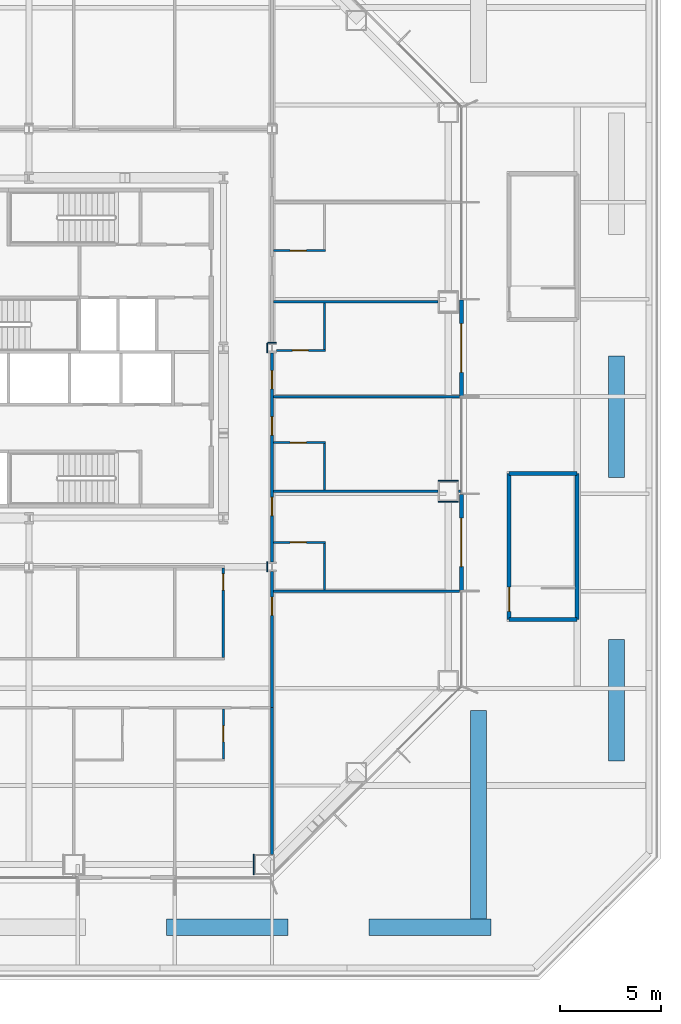
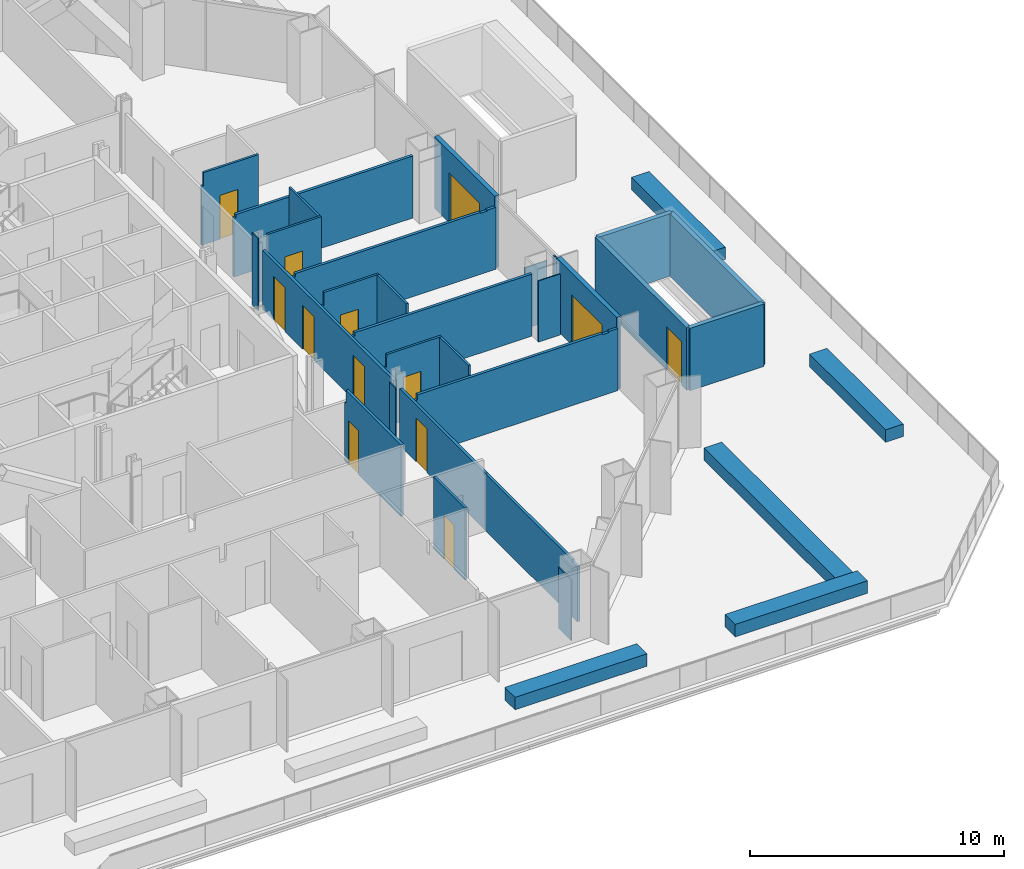
# One storey, part 16 of 18: 34 walls, 13 doors, 13 openings.
"""IFC4 building model written with IfcOpenShell, lengths in metres."""

from ifc_helpers import new_model, si_unit, direction, frame, frame_2d, origin, place, context, subcontext, project, spatial, polyline, rectangle, outline, extrude, material, layer, layer_set, type_object, element, fill, save


model = new_model("IFC4")

# Units and contexts
model_context = context("Model", 3, precision=1e-05, world=origin(), true_north=direction((0.0, 1.0)))
body_context = subcontext(model_context, "Body", "Model", "MODEL_VIEW")
ifc_project = project(units=[si_unit("LENGTHUNIT", "METRE"), si_unit("AREAUNIT", "SQUARE_METRE"), si_unit("VOLUMEUNIT", "CUBIC_METRE"), si_unit("PLANEANGLEUNIT", "RADIAN"), si_unit("MASSUNIT", "GRAM", prefix="KILO")], contexts=[model_context])

# Site, building, storey
site_placement = place(None, origin())
site = spatial("IfcSite", under=ifc_project, at=site_placement, CompositionType="ELEMENT")
building_placement = place(site_placement, origin())
building = spatial("IfcBuilding", under=site, at=building_placement, Name="Cairn Pilgrim Tower", CompositionType="ELEMENT")
storey_placement = place(building_placement, frame((0.0, 0.0, 40.199951171875)))
storey = spatial("IfcBuildingStorey", under=building, at=storey_placement, Name="L07", CompositionType="ELEMENT", Elevation=40.199951171875)

# Wall, opening, door
ifc_material_1 = material(Name="Bronze anodised aluminium insulated sandwich panel with mineral wool fill", Category="aluminium")
ifc_layer_1 = layer(ifc_material_1, 0.199951171875)
ifc_layer_set_1 = layer_set([ifc_layer_1], Name="BRONZE INFILL FRAME WALL 200")
wall_type_1 = type_object("IfcWallType", Name="BRONZE INFILL FRAME WALL 200", PredefinedType="NOTDEFINED", material=ifc_layer_set_1)
wall_1_placement = place(storey_placement, frame((28.550048828125, -9.570068359375, 0.0), z_axis=(0.0, 0.0, 1.0), x_axis=(0.0, 1.0, 0.0)))
wall_1 = element("IfcWall", 1, at=wall_1_placement, inside=storey, type_object=wall_type_1, Name="Bronze infill frame wall IW-E2", PredefinedType="NOTDEFINED", context=body_context, shape_type="SweptSolid", body=[
    extrude(rectangle(XDim=4.739990234375, YDim=0.199951171875, at=frame_2d((2.3701171875, 0.0))), origin(), (0.0, 0.0, 1.0), 3.449951171875),
])
opening_1_placement = place(wall_1_placement, frame((1.169921875, 0.0, 0.0)))
opening_1 = element("IfcOpeningElement", 2, at=opening_1_placement, cuts=wall_1, Name="Opening 0722B", PredefinedType="OPENING", context=body_context, shape_type="SweptSolid", body=[
    extrude(rectangle(XDim=2.39990234375, YDim=2.39990234375, at=frame_2d((1.199951171875, 1.199951171875))), frame((0.0, 0.10986328125, 0.0), z_axis=(0.0, -1.0, 0.0), x_axis=(1.0, 0.0, 0.0)), (0.0, 0.0, 1.0), 0.219970703125),
])
ifc_material_2 = material(Name="Bronze anodised aluminium frame with tinted low-E glass", Category="aluminium")
door_type_1 = type_object("IfcDoorType", Name="BALCONY SLIDING DOOR 2400x2400", OperationType="DOUBLE_DOOR_SLIDING", PredefinedType="DOOR", material=ifc_material_2)
door_1_placement = place(opening_1_placement, origin())
door_1 = element("IfcDoor", 3, at=door_1_placement, inside=storey, type_object=door_type_1, Name="Balcony sliding door 0722B", OperationType="SINGLE_SWING_LEFT", OverallHeight=2.39990234375, OverallWidth=2.39990234375, PredefinedType="DOOR", context=body_context, shape_type="SweptSolid", body=[
    extrude(rectangle(XDim=2.39990234375, YDim=2.39990234375, at=frame_2d((1.199951171875, 1.199951171875))), frame((0.0, 0.02490234375, 0.0), z_axis=(0.0, -1.0, 0.0), x_axis=(1.0, 0.0, 0.0)), (0.0, 0.0, 1.0), 0.050048828125),
])
fill(opening_1, door_1)

wall_2_placement = place(storey_placement, frame((28.550048828125, 0.030029296875, 0.0), z_axis=(0.0, 0.0, 1.0), x_axis=(0.0, 1.0, 0.0)))
wall_2 = element("IfcWall", 4, at=wall_2_placement, inside=storey, type_object=wall_type_1, Name="Bronze infill frame wall IW-E4", PredefinedType="NOTDEFINED", context=body_context, shape_type="SweptSolid", body=[
    extrude(rectangle(XDim=4.739990234375, YDim=0.199951171875, at=frame_2d((2.3701171875, 0.0))), origin(), (0.0, 0.0, 1.0), 3.449951171875),
])
opening_2_placement = place(wall_2_placement, frame((1.169921875, 0.0, 0.0)))
opening_2 = element("IfcOpeningElement", 5, at=opening_2_placement, cuts=wall_2, Name="Opening 0724B", PredefinedType="OPENING", context=body_context, shape_type="SweptSolid", body=[
    extrude(rectangle(XDim=2.39990234375, YDim=2.39990234375, at=frame_2d((1.199951171875, 1.199951171875))), frame((0.0, 0.10986328125, 0.0), z_axis=(0.0, -1.0, 0.0), x_axis=(1.0, 0.0, 0.0)), (0.0, 0.0, 1.0), 0.219970703125),
])
door_2_placement = place(opening_2_placement, origin())
door_2 = element("IfcDoor", 6, at=door_2_placement, inside=storey, type_object=door_type_1, Name="Balcony sliding door 0724B", OperationType="SINGLE_SWING_LEFT", OverallHeight=2.39990234375, OverallWidth=2.39990234375, PredefinedType="DOOR", context=body_context, shape_type="SweptSolid", body=[
    extrude(rectangle(XDim=2.39990234375, YDim=2.39990234375, at=frame_2d((1.199951171875, 1.199951171875))), frame((0.0, 0.02490234375, 0.0), z_axis=(0.0, -1.0, 0.0), x_axis=(1.0, 0.0, 0.0)), (0.0, 0.0, 1.0), 0.050048828125),
])
fill(opening_2, door_2)

ifc_material_3 = material(Name="Gypsum partition")
ifc_layer_2 = layer(ifc_material_3, 0.10009765625)
ifc_layer_set_2 = layer_set([ifc_layer_2], Name="PARTITION 100 DRYWALL")
wall_type_2 = type_object("IfcWallType", Name="PARTITION 100 DRYWALL", PredefinedType="PARTITIONING", material=ifc_layer_set_2)
wall_3_placement = place(storey_placement, frame((16.800048828125, -17.89990234375, 0.0), z_axis=(0.0, 0.0, 1.0), x_axis=(0.0, 1.0, 0.0)))
wall_3 = element("IfcWall", 7, at=wall_3_placement, inside=storey, type_object=wall_type_2, Name="PARTITION W020", PredefinedType="PARTITIONING", context=body_context, shape_type="SweptSolid", body=[
    extrude(rectangle(XDim=2.4873046875, YDim=0.10009765625, at=frame_2d((1.24365234375, 0.0))), origin(), (0.0, 0.0, 1.0), 3.449951171875),
])
opening_3_placement = place(wall_3_placement, frame((0.85009765625, 0.0, 0.0)))
opening_3 = element("IfcOpeningElement", 8, at=opening_3_placement, cuts=wall_3, Name="Opening 0708E", PredefinedType="OPENING", context=body_context, shape_type="SweptSolid", body=[
    extrude(rectangle(XDim=0.800048828125, YDim=2.10009765625, at=frame_2d((0.39990234375, 1.050048828125))), frame((0.0, 0.06005859375, 0.0), z_axis=(0.0, -1.0, 0.0), x_axis=(1.0, 0.0, 0.0)), (0.0, 0.0, 1.0), 0.1201171875),
])
ifc_material_4 = material(Name="Timber door leaf", Category="wood")
door_type_2 = type_object("IfcDoorType", Name="DOOR 800x2100", OperationType="NOTDEFINED", PredefinedType="DOOR", material=ifc_material_4)
door_3_placement = place(opening_3_placement, origin())
door_3 = element("IfcDoor", 9, at=door_3_placement, inside=storey, type_object=door_type_2, Name="DOOR 0708E", OperationType="SINGLE_SWING_RIGHT", OverallHeight=2.10009765625, OverallWidth=0.800048828125, PredefinedType="DOOR", context=body_context, shape_type="SweptSolid", body=[
    extrude(rectangle(XDim=0.800048828125, YDim=2.10009765625, at=frame_2d((0.39990234375, 1.050048828125))), frame((0.0, 0.02490234375, 0.0), z_axis=(0.0, -1.0, 0.0), x_axis=(1.0, 0.0, 0.0)), (0.0, 0.0, 1.0), 0.050048828125),
])
fill(opening_3, door_3)

# Wall
wall_4_placement = place(storey_placement, frame((21.800048828125, -9.53759765625, 0.0), z_axis=(0.0, 0.0, 1.0), x_axis=(0.0, 1.0, 0.0)))
element("IfcWall", 10, at=wall_4_placement, inside=storey, type_object=wall_type_2, Name="PARTITION W038", PredefinedType="PARTITIONING", context=body_context, shape_type="SweptSolid", body=[
    extrude(outline(polyline([(0.0, 0.0), (2.28759765625, 0.0), (2.28759765625, 3.449951171875), (0.032470703125, 3.449951171875), (0.030517578125, 2.97998046875), (0.0, 2.97998046875), (0.0, 0.0)])), frame((0.0, 0.050048828125, 0.0), z_axis=(0.0, -1.0, 0.0), x_axis=(1.0, 0.0, 0.0)), (0.0, 0.0, 1.0), 0.10009765625),
])

# Wall, opening, door
wall_5_placement = place(storey_placement, frame((19.262451171875, -7.199951171875, 0.0), z_axis=(0.0, 0.0, 1.0), x_axis=(1.0, 0.0, 0.0)))
wall_5 = element("IfcWall", 11, at=wall_5_placement, inside=storey, type_object=wall_type_2, Name="PARTITION W045", PredefinedType="PARTITIONING", context=body_context, shape_type="SweptSolid", body=[
    extrude(outline(polyline([(0.0, 0.0), (2.587646484375, 0.0), (2.58740234375, 3.449951171875), (0.08740234375, 3.449951171875), (0.08544921875, 2.830078125), (0.0, 2.830078125), (0.0, 0.0)])), frame((0.0, 0.050048828125, 0.0), z_axis=(0.0, -1.0, 0.0), x_axis=(1.0, 0.0, 0.0)), (0.0, 0.0, 1.0), 0.10009765625),
])
opening_4_placement = place(wall_5_placement, frame((0.83740234375, 0.0, 0.0)))
opening_4 = element("IfcOpeningElement", 12, at=opening_4_placement, cuts=wall_5, Name="Opening 0722E", PredefinedType="OPENING", context=body_context, shape_type="SweptSolid", body=[
    extrude(rectangle(XDim=0.800048828125, YDim=2.10009765625, at=frame_2d((0.39990234375, 1.050048828125))), frame((0.0, 0.06005859375, 0.0), z_axis=(0.0, -1.0, 0.0), x_axis=(1.0, 0.0, 0.0)), (0.0, 0.0, 1.0), 0.1201171875),
])
door_4_placement = place(opening_4_placement, frame((0.800048828125, 0.0, 0.0), z_axis=(0.0, 0.0, 1.0), x_axis=(-1.0, 0.0, 0.0)))
door_4 = element("IfcDoor", 13, at=door_4_placement, inside=storey, type_object=door_type_2, Name="DOOR 0722E", OperationType="SINGLE_SWING_RIGHT", OverallHeight=2.10009765625, OverallWidth=0.800048828125, PredefinedType="DOOR", context=body_context, shape_type="SweptSolid", body=[
    extrude(rectangle(XDim=0.800048828125, YDim=2.10009765625, at=frame_2d((0.39990234375, 1.050048828125))), frame((0.0, 0.02490234375, 0.0), z_axis=(0.0, -1.0, 0.0), x_axis=(1.0, 0.0, 0.0)), (0.0, 0.0, 1.0), 0.050048828125),
])
fill(opening_4, door_4)

# Wall
wall_6_placement = place(storey_placement, frame((21.800048828125, -4.613525390625, 0.0), z_axis=(0.0, 0.0, 1.0), x_axis=(0.0, 1.0, 0.0)))
element("IfcWall", 14, at=wall_6_placement, inside=storey, type_object=wall_type_2, Name="PARTITION W051", PredefinedType="PARTITIONING", context=body_context, shape_type="SweptSolid", body=[
    extrude(rectangle(XDim=2.28759765625, YDim=0.10009765625, at=frame_2d((1.143798828125, 0.0))), origin(), (0.0, 0.0, 1.0), 3.449951171875),
])

# Wall, opening, door
wall_7_placement = place(storey_placement, frame((19.262451171875, -2.27587890625, 0.0), z_axis=(0.0, 0.0, 1.0), x_axis=(1.0, 0.0, 0.0)))
wall_7 = element("IfcWall", 15, at=wall_7_placement, inside=storey, type_object=wall_type_2, Name="PARTITION W052", PredefinedType="PARTITIONING", context=body_context, shape_type="SweptSolid", body=[
    extrude(outline(polyline([(0.0, 0.0), (2.587646484375, 0.0), (2.58740234375, 3.449951171875), (0.08740234375, 3.449951171875), (0.08544921875, 2.830078125), (0.0, 2.830078125), (0.0, 0.0)])), frame((0.0, 0.050048828125, 0.0), z_axis=(0.0, -1.0, 0.0), x_axis=(1.0, 0.0, 0.0)), (0.0, 0.0, 1.0), 0.10009765625),
])
opening_5_placement = place(wall_7_placement, frame((0.83740234375, 0.0, 0.0)))
opening_5 = element("IfcOpeningElement", 16, at=opening_5_placement, cuts=wall_7, Name="Opening 0723E", PredefinedType="OPENING", context=body_context, shape_type="SweptSolid", body=[
    extrude(rectangle(XDim=0.800048828125, YDim=2.10009765625, at=frame_2d((0.39990234375, 1.050048828125))), frame((0.0, 0.06005859375, 0.0), z_axis=(0.0, -1.0, 0.0), x_axis=(1.0, 0.0, 0.0)), (0.0, 0.0, 1.0), 0.1201171875),
])
door_5_placement = place(opening_5_placement, frame((0.800048828125, 0.0, 0.0), z_axis=(0.0, 0.0, 1.0), x_axis=(-1.0, 0.0, 0.0)))
door_5 = element("IfcDoor", 17, at=door_5_placement, inside=storey, type_object=door_type_2, Name="DOOR 0723E", OperationType="SINGLE_SWING_RIGHT", OverallHeight=2.10009765625, OverallWidth=0.800048828125, PredefinedType="DOOR", context=body_context, shape_type="SweptSolid", body=[
    extrude(rectangle(XDim=0.800048828125, YDim=2.10009765625, at=frame_2d((0.39990234375, 1.050048828125))), frame((0.0, 0.02490234375, 0.0), z_axis=(0.0, -1.0, 0.0), x_axis=(1.0, 0.0, 0.0)), (0.0, 0.0, 1.0), 0.050048828125),
])
fill(opening_5, door_5)

wall_8_placement = place(storey_placement, frame((19.412109375, 2.27587890625, 0.0), z_axis=(0.0, 0.0, 1.0), x_axis=(1.0, 0.0, 0.0)))
wall_8 = element("IfcWall", 18, at=wall_8_placement, inside=storey, type_object=wall_type_2, Name="PARTITION W057", PredefinedType="PARTITIONING", context=body_context, shape_type="SweptSolid", body=[
    extrude(rectangle(XDim=2.43798828125, YDim=0.10009765625, at=frame_2d((1.218994140625, 0.0))), origin(), (0.0, 0.0, 1.0), 3.449951171875),
])
opening_6_placement = place(wall_8_placement, frame((0.7880859375, 0.0, 0.0)))
opening_6 = element("IfcOpeningElement", 19, at=opening_6_placement, cuts=wall_8, Name="Opening 0724E", PredefinedType="OPENING", context=body_context, shape_type="SweptSolid", body=[
    extrude(rectangle(XDim=0.800048828125, YDim=2.10009765625, at=frame_2d((0.39990234375, 1.050048828125))), frame((0.0, 0.06005859375, 0.0), z_axis=(0.0, -1.0, 0.0), x_axis=(1.0, 0.0, 0.0)), (0.0, 0.0, 1.0), 0.1201171875),
])
door_6_placement = place(opening_6_placement, origin())
door_6 = element("IfcDoor", 20, at=door_6_placement, inside=storey, type_object=door_type_2, Name="DOOR 0724E", OperationType="SINGLE_SWING_RIGHT", OverallHeight=2.10009765625, OverallWidth=0.800048828125, PredefinedType="DOOR", context=body_context, shape_type="SweptSolid", body=[
    extrude(rectangle(XDim=0.800048828125, YDim=2.10009765625, at=frame_2d((0.39990234375, 1.050048828125))), frame((0.0, 0.02490234375, 0.0), z_axis=(0.0, -1.0, 0.0), x_axis=(1.0, 0.0, 0.0)), (0.0, 0.0, 1.0), 0.050048828125),
])
fill(opening_6, door_6)

# Wall
wall_9_placement = place(storey_placement, frame((21.800048828125, 2.325927734375, 0.0), z_axis=(0.0, 0.0, 1.0), x_axis=(0.0, 1.0, 0.0)))
element("IfcWall", 21, at=wall_9_placement, inside=storey, type_object=wall_type_2, Name="PARTITION W058", PredefinedType="PARTITIONING", context=body_context, shape_type="SweptSolid", body=[
    extrude(rectangle(XDim=2.28759765625, YDim=0.10009765625, at=frame_2d((1.143798828125, 0.0))), origin(), (0.0, 0.0, 1.0), 3.449951171875),
])

# Wall, opening, door
wall_10_placement = place(storey_placement, frame((19.262451171875, 7.199951171875, 0.0), z_axis=(0.0, 0.0, 1.0), x_axis=(1.0, 0.0, 0.0)))
wall_10 = element("IfcWall", 22, at=wall_10_placement, inside=storey, type_object=wall_type_2, Name="PARTITION W069", PredefinedType="PARTITIONING", context=body_context, shape_type="SweptSolid", body=[
    extrude(outline(polyline([(0.0, 0.0), (2.587646484375, 0.0), (2.58740234375, 3.449951171875), (0.08740234375, 3.449951171875), (0.08544921875, 2.830078125), (0.0, 2.830078125), (0.0, 0.0)])), frame((0.0, 0.050048828125, 0.0), z_axis=(0.0, -1.0, 0.0), x_axis=(1.0, 0.0, 0.0)), (0.0, 0.0, 1.0), 0.10009765625),
])
opening_7_placement = place(wall_10_placement, frame((0.83740234375, 0.0, 0.0)))
opening_7 = element("IfcOpeningElement", 23, at=opening_7_placement, cuts=wall_10, Name="Opening 0725E", PredefinedType="OPENING", context=body_context, shape_type="SweptSolid", body=[
    extrude(rectangle(XDim=0.800048828125, YDim=2.10009765625, at=frame_2d((0.39990234375, 1.050048828125))), frame((0.0, 0.06005859375, 0.0), z_axis=(0.0, -1.0, 0.0), x_axis=(1.0, 0.0, 0.0)), (0.0, 0.0, 1.0), 0.1201171875),
])
door_7_placement = place(opening_7_placement, origin())
door_7 = element("IfcDoor", 24, at=door_7_placement, inside=storey, type_object=door_type_2, Name="DOOR 0725E", OperationType="SINGLE_SWING_RIGHT", OverallHeight=2.10009765625, OverallWidth=0.800048828125, PredefinedType="DOOR", context=body_context, shape_type="SweptSolid", body=[
    extrude(rectangle(XDim=0.800048828125, YDim=2.10009765625, at=frame_2d((0.39990234375, 1.050048828125))), frame((0.0, 0.02490234375, 0.0), z_axis=(0.0, -1.0, 0.0), x_axis=(1.0, 0.0, 0.0)), (0.0, 0.0, 1.0), 0.050048828125),
])
fill(opening_7, door_7)

# Wall
ifc_layer_3 = layer(ifc_material_3, 0.125)
ifc_layer_set_3 = layer_set([ifc_layer_3], Name="PARTITION 125 DRYWALL EI 60")
wall_type_3 = type_object("IfcWallType", Name="PARTITION 125 DRYWALL EI 60", PredefinedType="PARTITIONING", material=ifc_layer_set_3)
wall_11_placement = place(storey_placement, frame((19.199951171875, -22.60009765625, 0.0), z_axis=(0.0, 0.0, 1.0), x_axis=(0.0, 1.0, 0.0)))
element("IfcWall", 25, at=wall_11_placement, inside=storey, type_object=wall_type_3, Name="PARTITION W009", PredefinedType="PARTITIONING", context=body_context, shape_type="SweptSolid", body=[
    extrude(outline(polyline([(0.0, 0.0), (7.25, 0.0), (7.25, 2.72998046875), (0.430419921875, 2.72998046875), (0.42822265625, 2.630126953125), (0.0, 2.630126953125), (0.0, 0.0)])), frame((0.0, 0.0625, 0.0), z_axis=(0.0, -1.0, 0.0), x_axis=(1.0, 0.0, 0.0)), (0.0, 0.0, 1.0), 0.125),
])

# Wall, opening, door
wall_12_placement = place(storey_placement, frame((19.199951171875, -15.35009765625, 0.0), z_axis=(0.0, 0.0, 1.0), x_axis=(0.0, 1.0, 0.0)))
wall_12 = element("IfcWall", 26, at=wall_12_placement, inside=storey, type_object=wall_type_3, Name="PARTITION W024", PredefinedType="PARTITIONING", context=body_context, shape_type="SweptSolid", body=[
    extrude(rectangle(XDim=6.713134765625, YDim=0.125, at=frame_2d((3.3564453125, 0.0))), origin(), (0.0, 0.0, 1.0), 2.72998046875),
])
opening_8_placement = place(wall_12_placement, frame((4.550048828125, 0.0, 0.0)))
opening_8 = element("IfcOpeningElement", 27, at=opening_8_placement, cuts=wall_12, Name="Opening 0721", PredefinedType="OPENING", context=body_context, shape_type="SweptSolid", body=[
    extrude(rectangle(XDim=0.89990234375, YDim=2.10009765625, at=frame_2d((0.449951171875, 1.050048828125))), frame((0.0, 0.072509765625, 0.0), z_axis=(0.0, -1.0, 0.0), x_axis=(1.0, 0.0, 0.0)), (0.0, 0.0, 1.0), 0.14501953125),
])
ifc_material_5 = material(Name="Steel-faced fire door leaf", Category="steel")
door_type_3 = type_object("IfcDoorType", Name="FIRE DOOR 900x2100 FD30S", OperationType="NOTDEFINED", PredefinedType="DOOR", material=ifc_material_5)
door_8_placement = place(opening_8_placement, frame((0.89990234375, 0.0, 0.0), z_axis=(0.0, 0.0, 1.0), x_axis=(-1.0, 0.0, 0.0)))
door_8 = element("IfcDoor", 28, at=door_8_placement, inside=storey, type_object=door_type_3, Name="DOOR 0721", OperationType="SINGLE_SWING_RIGHT", OverallHeight=2.10009765625, OverallWidth=0.89990234375, PredefinedType="DOOR", context=body_context, shape_type="SweptSolid", body=[
    extrude(rectangle(XDim=0.89990234375, YDim=2.10009765625, at=frame_2d((0.449951171875, 1.050048828125))), frame((0.0, 0.02490234375, 0.0), z_axis=(0.0, -1.0, 0.0), x_axis=(1.0, 0.0, 0.0)), (0.0, 0.0, 1.0), 0.050048828125),
])
fill(opening_8, door_8)

wall_13_placement = place(storey_placement, frame((16.800048828125, -12.887451171875, 0.0), z_axis=(0.0, 0.0, 1.0), x_axis=(0.0, 1.0, 0.0)))
wall_13 = element("IfcWall", 29, at=wall_13_placement, inside=storey, type_object=wall_type_3, Name="PARTITION W035", PredefinedType="PARTITIONING", context=body_context, shape_type="SweptSolid", body=[
    extrude(outline(polyline([(0.0, 0.0), (4.425048828125, 0.0), (4.425048828125, 2.830078125), (4.33740234375, 2.830078125), (4.33544921875, 3.449951171875), (0.0, 3.449951171875), (0.0, 0.0)])), frame((0.0, 0.0625, 0.0), z_axis=(0.0, -1.0, 0.0), x_axis=(1.0, 0.0, 0.0)), (0.0, 0.0, 1.0), 0.125),
])
opening_9_placement = place(wall_13_placement, frame((3.33740234375, 0.0, 0.0)))
opening_9 = element("IfcOpeningElement", 30, at=opening_9_placement, cuts=wall_13, Name="Opening 0738", PredefinedType="OPENING", context=body_context, shape_type="SweptSolid", body=[
    extrude(rectangle(XDim=0.800048828125, YDim=2.10009765625, at=frame_2d((0.39990234375, 1.050048828125))), frame((0.0, 0.072509765625, 0.0), z_axis=(0.0, -1.0, 0.0), x_axis=(1.0, 0.0, 0.0)), (0.0, 0.0, 1.0), 0.14501953125),
])
door_type_4 = type_object("IfcDoorType", Name="FIRE DOOR 800x2100 FD30S", OperationType="NOTDEFINED", PredefinedType="DOOR", material=ifc_material_5)
door_9_placement = place(opening_9_placement, origin())
door_9 = element("IfcDoor", 31, at=door_9_placement, inside=storey, type_object=door_type_4, Name="DOOR 0738", OperationType="SINGLE_SWING_LEFT", OverallHeight=2.10009765625, OverallWidth=0.800048828125, PredefinedType="DOOR", context=body_context, shape_type="SweptSolid", body=[
    extrude(rectangle(XDim=0.800048828125, YDim=2.10009765625, at=frame_2d((0.39990234375, 1.050048828125))), frame((0.0, 0.02490234375, 0.0), z_axis=(0.0, -1.0, 0.0), x_axis=(1.0, 0.0, 0.0)), (0.0, 0.0, 1.0), 0.050048828125),
])
fill(opening_9, door_9)

# Wall
wall_14_placement = place(storey_placement, frame((19.262451171875, -9.60009765625, 0.0), z_axis=(0.0, 0.0, 1.0), x_axis=(1.0, 0.0, 0.0)))
element("IfcWall", 32, at=wall_14_placement, inside=storey, type_object=wall_type_3, Name="PARTITION W037", PredefinedType="PARTITIONING", context=body_context, shape_type="SweptSolid", body=[
    extrude(outline(polyline([(0.0, 0.0), (9.1875, 0.0), (9.1875, 2.97998046875), (8.78759765625, 2.97998046875), (8.785400390625, 2.929931640625), (8.487548828125, 2.929931640625), (8.485595703125, 2.97998046875), (0.08740234375, 2.97998046875), (0.08544921875, 2.72998046875), (0.0, 2.72998046875), (0.0, 0.0)])), frame((0.0, 0.0625, 0.0), z_axis=(0.0, -1.0, 0.0), x_axis=(1.0, 0.0, 0.0)), (0.0, 0.0, 1.0), 0.125),
])

# Wall, openings, doors
wall_15_placement = place(storey_placement, frame((19.199951171875, -8.1630859375, 0.0), z_axis=(0.0, 0.0, 1.0), x_axis=(0.0, 1.0, 0.0)))
wall_15 = element("IfcWall", 33, at=wall_15_placement, inside=storey, type_object=wall_type_3, Name="PARTITION W044", PredefinedType="PARTITIONING", context=body_context, shape_type="SweptSolid", body=[
    extrude(rectangle(XDim=10.326171875, YDim=0.125, at=frame_2d((5.1630859375, 0.0))), origin(), (0.0, 0.0, 1.0), 2.830078125),
])
opening_10_placement = place(wall_15_placement, frame((2.287109375, 0.0, 0.0)))
opening_10 = element("IfcOpeningElement", 34, at=opening_10_placement, cuts=wall_15, Name="Opening 0722", PredefinedType="OPENING", context=body_context, shape_type="SweptSolid", body=[
    extrude(rectangle(XDim=0.89990234375, YDim=2.10009765625, at=frame_2d((0.449951171875, 1.050048828125))), frame((0.0, 0.072509765625, 0.0), z_axis=(0.0, -1.0, 0.0), x_axis=(1.0, 0.0, 0.0)), (0.0, 0.0, 1.0), 0.14501953125),
])
opening_11_placement = place(wall_15_placement, frame((6.262939453125, 0.0, 0.0)))
opening_11 = element("IfcOpeningElement", 35, at=opening_11_placement, cuts=wall_15, Name="Opening 0723", PredefinedType="OPENING", context=body_context, shape_type="SweptSolid", body=[
    extrude(rectangle(XDim=0.89990234375, YDim=2.10009765625, at=frame_2d((0.449951171875, 1.050048828125))), frame((0.0, 0.072509765625, 0.0), z_axis=(0.0, -1.0, 0.0), x_axis=(1.0, 0.0, 0.0)), (0.0, 0.0, 1.0), 0.14501953125),
])
opening_12_placement = place(wall_15_placement, frame((8.5390625, 0.0, 0.0)))
opening_12 = element("IfcOpeningElement", 36, at=opening_12_placement, cuts=wall_15, Name="Opening 0724", PredefinedType="OPENING", context=body_context, shape_type="SweptSolid", body=[
    extrude(rectangle(XDim=0.89990234375, YDim=2.10009765625, at=frame_2d((0.449951171875, 1.050048828125))), frame((0.0, 0.072509765625, 0.0), z_axis=(0.0, -1.0, 0.0), x_axis=(1.0, 0.0, 0.0)), (0.0, 0.0, 1.0), 0.14501953125),
])
door_10_placement = place(opening_10_placement, frame((0.89990234375, 0.0, 0.0), z_axis=(0.0, 0.0, 1.0), x_axis=(-1.0, 0.0, 0.0)))
door_10 = element("IfcDoor", 37, at=door_10_placement, inside=storey, type_object=door_type_3, Name="DOOR 0722", OperationType="SINGLE_SWING_LEFT", OverallHeight=2.10009765625, OverallWidth=0.89990234375, PredefinedType="DOOR", context=body_context, shape_type="SweptSolid", body=[
    extrude(rectangle(XDim=0.89990234375, YDim=2.10009765625, at=frame_2d((0.449951171875, 1.050048828125))), frame((0.0, 0.02490234375, 0.0), z_axis=(0.0, -1.0, 0.0), x_axis=(1.0, 0.0, 0.0)), (0.0, 0.0, 1.0), 0.050048828125),
])
fill(opening_10, door_10)
door_11_placement = place(opening_11_placement, frame((0.89990234375, 0.0, 0.0), z_axis=(0.0, 0.0, 1.0), x_axis=(-1.0, 0.0, 0.0)))
door_11 = element("IfcDoor", 38, at=door_11_placement, inside=storey, type_object=door_type_3, Name="DOOR 0723", OperationType="SINGLE_SWING_LEFT", OverallHeight=2.10009765625, OverallWidth=0.89990234375, PredefinedType="DOOR", context=body_context, shape_type="SweptSolid", body=[
    extrude(rectangle(XDim=0.89990234375, YDim=2.10009765625, at=frame_2d((0.449951171875, 1.050048828125))), frame((0.0, 0.02490234375, 0.0), z_axis=(0.0, -1.0, 0.0), x_axis=(1.0, 0.0, 0.0)), (0.0, 0.0, 1.0), 0.050048828125),
])
fill(opening_11, door_11)
door_12_placement = place(opening_12_placement, frame((0.89990234375, 0.0, 0.0), z_axis=(0.0, 0.0, 1.0), x_axis=(-1.0, 0.0, 0.0)))
door_12 = element("IfcDoor", 39, at=door_12_placement, inside=storey, type_object=door_type_3, Name="DOOR 0724", OperationType="SINGLE_SWING_LEFT", OverallHeight=2.10009765625, OverallWidth=0.89990234375, PredefinedType="DOOR", context=body_context, shape_type="SweptSolid", body=[
    extrude(rectangle(XDim=0.89990234375, YDim=2.10009765625, at=frame_2d((0.449951171875, 1.050048828125))), frame((0.0, 0.02490234375, 0.0), z_axis=(0.0, -1.0, 0.0), x_axis=(1.0, 0.0, 0.0)), (0.0, 0.0, 1.0), 0.050048828125),
])
fill(opening_12, door_12)

# Walls
wall_16_placement = place(storey_placement, frame((19.262451171875, -4.676025390625, 0.0), z_axis=(0.0, 0.0, 1.0), x_axis=(1.0, 0.0, 0.0)))
element("IfcWall", 40, at=wall_16_placement, inside=storey, type_object=wall_type_3, Name="PARTITION W049", PredefinedType="PARTITIONING", context=body_context, shape_type="SweptSolid", body=[
    extrude(outline(polyline([(0.0, 0.0), (8.137451171875, 0.0), (8.137451171875, 2.97998046875), (0.08740234375, 2.97998046875), (0.08544921875, 2.830078125), (0.0, 2.830078125), (0.0, 0.0)])), frame((0.0, 0.0625, 0.0), z_axis=(0.0, -1.0, 0.0), x_axis=(1.0, 0.0, 0.0)), (0.0, 0.0, 1.0), 0.125),
])
wall_17_placement = place(storey_placement, frame((28.39990234375, -4.676025390625, 0.0), z_axis=(0.0, 0.0, 1.0), x_axis=(1.0, 0.0, 0.0)))
element("IfcWall", 41, at=wall_17_placement, inside=storey, type_object=wall_type_3, Name="PARTITION W050", PredefinedType="PARTITIONING", context=body_context, shape_type="SweptSolid", body=[
    extrude(rectangle(XDim=0.10302734375, YDim=0.125, at=frame_2d((0.051513671875, 0.0))), origin(), (0.0, 0.0, 1.0), 3.449951171875),
])
wall_18_placement = place(storey_placement, frame((19.262451171875, 0.0, 0.0), z_axis=(0.0, 0.0, 1.0), x_axis=(1.0, 0.0, 0.0)))
element("IfcWall", 42, at=wall_18_placement, inside=storey, type_object=wall_type_3, Name="PARTITION W056", PredefinedType="PARTITIONING", context=body_context, shape_type="SweptSolid", body=[
    extrude(outline(polyline([(0.0, 0.0), (9.1875, 0.0), (9.1875, 2.97998046875), (8.78759765625, 2.97998046875), (8.785400390625, 2.929931640625), (8.487548828125, 2.929931640625), (8.485595703125, 2.97998046875), (0.08740234375, 2.97998046875), (0.08544921875, 2.830078125), (0.0, 2.830078125), (0.0, 0.0)])), frame((0.0, 0.0625, 0.0), z_axis=(0.0, -1.0, 0.0), x_axis=(1.0, 0.0, 0.0)), (0.0, 0.0, 1.0), 0.125),
])
wall_19_placement = place(storey_placement, frame((19.262451171875, 4.676025390625, 0.0), z_axis=(0.0, 0.0, 1.0), x_axis=(1.0, 0.0, 0.0)))
element("IfcWall", 43, at=wall_19_placement, inside=storey, type_object=wall_type_3, Name="PARTITION W066", PredefinedType="PARTITIONING", context=body_context, shape_type="SweptSolid", body=[
    extrude(outline(polyline([(0.0, 0.0), (8.137451171875, 0.0), (8.137451171875, 2.97998046875), (0.08740234375, 2.97998046875), (0.08544921875, 2.830078125), (0.0, 2.830078125), (0.0, 0.0)])), frame((0.0, 0.0625, 0.0), z_axis=(0.0, -1.0, 0.0), x_axis=(1.0, 0.0, 0.0)), (0.0, 0.0, 1.0), 0.125),
])
ifc_layer_4 = layer(ifc_material_3, 0.050048828125)
ifc_layer_set_4 = layer_set([ifc_layer_4], Name="PARTITION 50 DRYWALL")
wall_type_4 = type_object("IfcWallType", Name="PARTITION 50 DRYWALL", PredefinedType="PARTITIONING", material=ifc_layer_set_4)
wall_20_placement = place(storey_placement, frame((18.988037109375, 2.662109375, 0.0), z_axis=(0.0, 0.0, 1.0), x_axis=(1.0, 0.0, 0.0)))
element("IfcWall", 44, at=wall_20_placement, inside=storey, type_object=wall_type_4, Name="COLUMN CASING WC23", PredefinedType="PARTITIONING", context=body_context, shape_type="SweptSolid", body=[
    extrude(rectangle(XDim=0.424072265625, YDim=0.050048828125, at=frame_2d((0.2119140625, 0.0))), origin(), (0.0, 0.0, 1.0), 2.830078125),
])
ifc_layer_5 = layer(ifc_material_3, 0.050048828125)
ifc_layer_set_5 = layer_set([ifc_layer_5], Name="PARTITION 50 DRYWALL EI 60")
wall_type_5 = type_object("IfcWallType", Name="PARTITION 50 DRYWALL EI 60", PredefinedType="PARTITIONING", material=ifc_layer_set_5)
wall_21_placement = place(storey_placement, frame((18.30224609375, -23.60009765625, 0.0), z_axis=(0.0, 0.0, 1.0), x_axis=(0.0, 1.0, 0.0)))
element("IfcWall", 45, at=wall_21_placement, inside=storey, type_object=wall_type_5, Name="COLUMN CASING WC08", PredefinedType="PARTITIONING", context=body_context, shape_type="SweptSolid", body=[
    extrude(rectangle(XDim=1.0, YDim=0.050048828125, at=frame_2d((0.5, 0.0))), origin(), (0.0, 0.0, 1.0), 2.929931640625),
])
wall_22_placement = place(storey_placement, frame((18.962890625, -8.636962890625, 0.0), z_axis=(0.0, 0.0, 1.0), x_axis=(0.0, 1.0, 0.0)))
element("IfcWall", 46, at=wall_22_placement, inside=storey, type_object=wall_type_5, Name="COLUMN CASING WC09", PredefinedType="PARTITIONING", context=body_context, shape_type="SweptSolid", body=[
    extrude(rectangle(XDim=0.473876953125, YDim=0.050048828125, at=frame_2d((0.23681640625, 0.0))), origin(), (0.0, 0.0, 1.0), 2.830078125),
])
wall_23_placement = place(storey_placement, frame((18.962890625, 2.1630859375, 0.0), z_axis=(0.0, 0.0, 1.0), x_axis=(0.0, 1.0, 0.0)))
element("IfcWall", 47, at=wall_23_placement, inside=storey, type_object=wall_type_5, Name="COLUMN CASING WC10", PredefinedType="PARTITIONING", context=body_context, shape_type="SweptSolid", body=[
    extrude(rectangle(XDim=0.473876953125, YDim=0.050048828125, at=frame_2d((0.23681640625, 0.0))), origin(), (0.0, 0.0, 1.0), 3.449951171875),
])
for number, where, z_axis, x_axis, name in (
    (48, (27.39990234375, -4.150634765625, 0.0), (0.0, 0.0, 1.0), (1.0, 0.0, 0.0), "COLUMN CASING WC20"),
    (49, (27.39990234375, -5.20068359375, 0.0), (0.0, 0.0, 1.0), (1.0, 0.0, 0.0), "COLUMN CASING WC21"),
):
    element("IfcWall", number, at=place(storey_placement, frame(where, z_axis=z_axis, x_axis=x_axis)), inside=storey, type_object=wall_type_5, Name=name, PredefinedType="PARTITIONING", context=body_context, shape_type="SweptSolid", body=[
        extrude(rectangle(XDim=1.0, YDim=0.050048828125, at=frame_2d((0.5, 0.0))), origin(), (0.0, 0.0, 1.0), 2.929931640625),
    ])
ifc_material_6 = material(Name="Concrete C35/45", Category="concrete")
ifc_layer_6 = layer(ifc_material_6, 0.800048828125)
ifc_layer_set_6 = layer_set([ifc_layer_6], Name="PLANTER TROUGH WALL 800 CONCRETE C35/45")
wall_type_6 = type_object("IfcWallType", Name="PLANTER TROUGH WALL 800 CONCRETE C35/45", PredefinedType="NOTDEFINED", material=ifc_layer_set_6)
for number, where, z_axis, x_axis, name in (
    (50, (14.0, -26.199951171875, 0.0), (0.0, 0.0, 1.0), (1.0, 0.0, 0.0), "PLANTER"),
    (51, (24.0, -26.199951171875, 0.0), (0.0, 0.0, 1.0), (1.0, 0.0, 0.0), "PLANTER"),
    (52, (36.199951171875, -18.0, 0.0), (0.0, 0.0, 1.0), (0.0, 1.0, 0.0), "PLANTER"),
    (53, (36.199951171875, -4.0, 0.0), (0.0, 0.0, 1.0), (0.0, 1.0, 0.0), "PLANTER"),
):
    element("IfcWall", number, at=place(storey_placement, frame(where, z_axis=z_axis, x_axis=x_axis)), inside=storey, type_object=wall_type_6, Name=name, PredefinedType="NOTDEFINED", context=body_context, shape_type="SweptSolid", body=[
        extrude(rectangle(XDim=6.0, YDim=0.800048828125, at=frame_2d((3.0, 0.0))), origin(), (0.0, 0.0, 1.0), 0.60009765625),
    ])
wall_24_placement = place(storey_placement, frame((29.39990234375, -26.5, 0.0), z_axis=(0.0, 0.0, 1.0), x_axis=(0.0, 1.0, 0.0)))
element("IfcWall", 54, at=wall_24_placement, inside=storey, type_object=wall_type_6, Name="PLANTER", PredefinedType="NOTDEFINED", context=body_context, shape_type="SweptSolid", body=[
    extrude(rectangle(XDim=11.0, YDim=0.800048828125, at=frame_2d((5.5, 0.0))), origin(), (0.0, 0.0, 1.0), 0.60009765625),
])

# Wall, opening, door
ifc_layer_7 = layer(ifc_material_6, 0.199951171875)
ifc_layer_set_7 = layer_set([ifc_layer_7], Name="PODIUM STAIR WALL 200 EI 120")
wall_type_7 = type_object("IfcWallType", Name="PODIUM STAIR WALL 200 EI 120", PredefinedType="SOLIDWALL", material=ifc_layer_set_7)
wall_25_placement = place(storey_placement, frame((30.89990234375, -11.0, 0.0), z_axis=(0.0, 0.0, 1.0), x_axis=(0.0, 1.0, 0.0)))
wall_25 = element("IfcWall", 55, at=wall_25_placement, inside=storey, type_object=wall_type_7, Name="ES2 STAIR HEAD-HOUSE WALL W", PredefinedType="SOLIDWALL", context=body_context, shape_type="SweptSolid", body=[
    extrude(rectangle(XDim=7.199951171875, YDim=0.199951171875, at=frame_2d((3.60009765625, 0.0))), origin(), (0.0, 0.0, 1.0), 3.0),
])
opening_13_placement = place(wall_25_placement, frame((0.39990234375, 0.0, 0.0)))
opening_13 = element("IfcOpeningElement", 56, at=opening_13_placement, cuts=wall_25, Name="Opening X-ES2T", PredefinedType="OPENING", context=body_context, shape_type="SweptSolid", body=[
    extrude(rectangle(XDim=1.199951171875, YDim=2.10009765625, at=frame_2d((0.60009765625, 1.050048828125))), frame((0.0, 0.10986328125, 0.0), z_axis=(0.0, -1.0, 0.0), x_axis=(1.0, 0.0, 0.0)), (0.0, 0.0, 1.0), 0.219970703125),
])
ifc_material_7 = material(Name="Painted steel", Category="steel")
door_type_5 = type_object("IfcDoorType", Name="PODIUM EXIT DOOR 1200x2100 FD60S", OperationType="SINGLE_SWING_LEFT", PredefinedType="DOOR", material=ifc_material_7)
door_13_placement = place(opening_13_placement, origin())
door_13 = element("IfcDoor", 57, at=door_13_placement, inside=storey, type_object=door_type_5, Name="X-ES2T STAIR TERRACE DOOR", OperationType="SINGLE_SWING_LEFT", OverallHeight=2.10009765625, OverallWidth=1.199951171875, PredefinedType="DOOR", context=body_context, shape_type="SweptSolid", body=[
    extrude(rectangle(XDim=1.199951171875, YDim=2.10009765625, at=frame_2d((0.60009765625, 1.050048828125))), frame((0.0, 0.02490234375, 0.0), z_axis=(0.0, -1.0, 0.0), x_axis=(1.0, 0.0, 0.0)), (0.0, 0.0, 1.0), 0.050048828125),
])
fill(opening_13, door_13)

# Walls
wall_26_placement = place(storey_placement, frame((30.89990234375, -3.800048828125, 0.0), z_axis=(0.0, 0.0, 1.0), x_axis=(1.0, 0.0, 0.0)))
element("IfcWall", 58, at=wall_26_placement, inside=storey, type_object=wall_type_7, Name="ES2 STAIR HEAD-HOUSE WALL N", PredefinedType="SOLIDWALL", context=body_context, shape_type="SweptSolid", body=[
    extrude(rectangle(XDim=3.35009765625, YDim=0.199951171875, at=frame_2d((1.675048828125, 0.0))), origin(), (0.0, 0.0, 1.0), 3.0),
])
wall_27_placement = place(storey_placement, frame((34.25, -3.800048828125, 0.0), z_axis=(0.0, 0.0, 1.0), x_axis=(0.0, -1.0, 0.0)))
element("IfcWall", 59, at=wall_27_placement, inside=storey, type_object=wall_type_7, Name="ES2 STAIR HEAD-HOUSE WALL E", PredefinedType="SOLIDWALL", context=body_context, shape_type="SweptSolid", body=[
    extrude(rectangle(XDim=7.199951171875, YDim=0.199951171875, at=frame_2d((3.60009765625, 0.0))), origin(), (0.0, 0.0, 1.0), 3.0),
])
wall_28_placement = place(storey_placement, frame((34.25, -11.0, 0.0), z_axis=(0.0, 0.0, 1.0), x_axis=(-1.0, 0.0, 0.0)))
element("IfcWall", 60, at=wall_28_placement, inside=storey, type_object=wall_type_7, Name="ES2 STAIR HEAD-HOUSE WALL S", PredefinedType="SOLIDWALL", context=body_context, shape_type="SweptSolid", body=[
    extrude(rectangle(XDim=3.35009765625, YDim=0.199951171875, at=frame_2d((1.675048828125, 0.0))), origin(), (0.0, 0.0, 1.0), 3.0),
])

save(model, "model.ifc")
